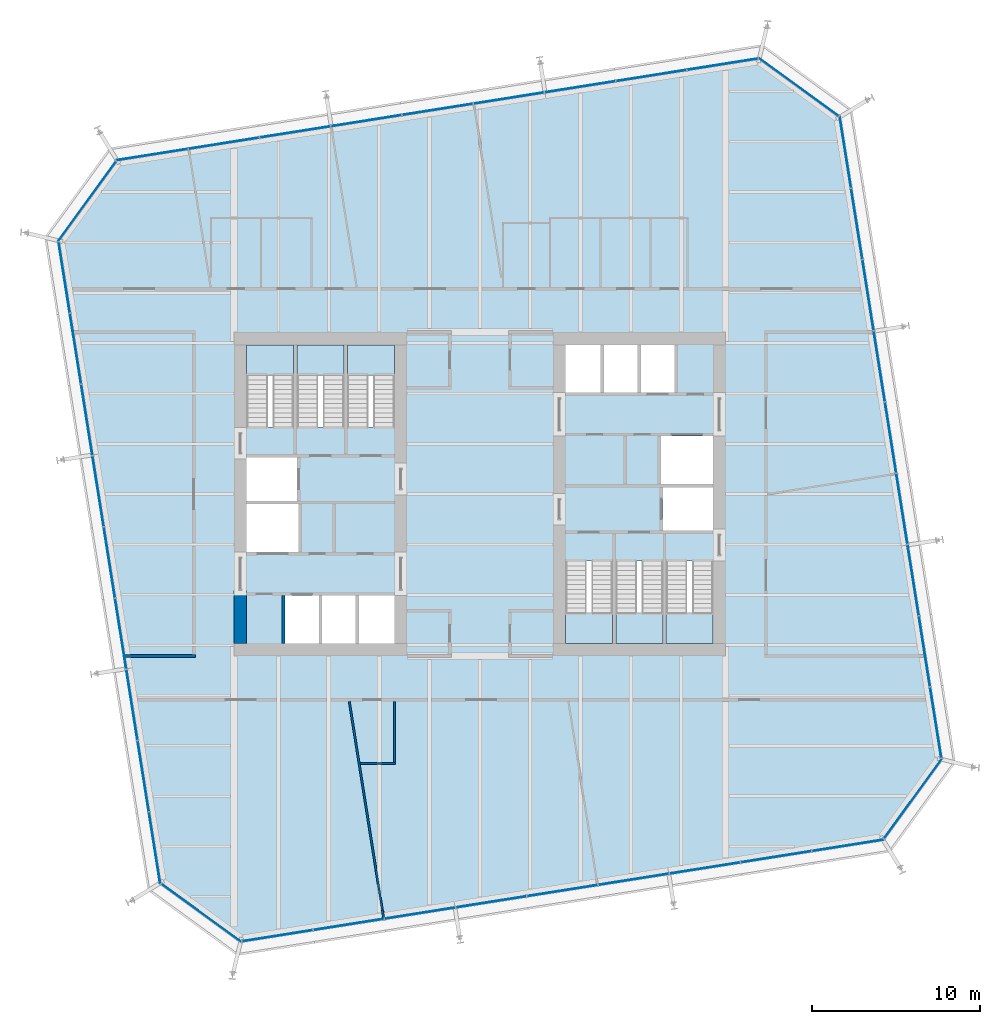
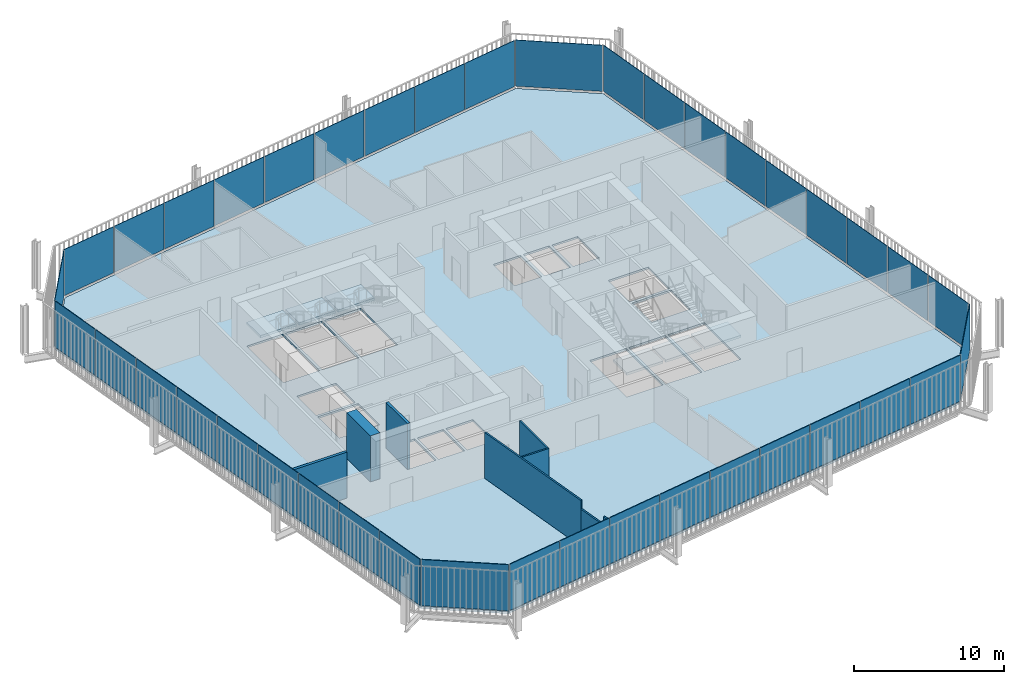
# One storey, part 16 of 21: 40 plates, 8 walls, 7 slabs, 14 elements without a shape of their own.
"""IFC4 building model written with IfcOpenShell, lengths in metres."""

from ifc_helpers import new_model, si_unit, direction, frame, frame_2d, origin, place, context, subcontext, project, spatial, polyline, rectangle, outline, extrude, material, layer, layer_set, type_object, element, aggregate, save


model = new_model("IFC4")

# Units and contexts
model_context = context("Model", 3, precision=1e-05, world=origin(), true_north=direction((0.0, 1.0)))
body_context = subcontext(model_context, "Body", "Model", "MODEL_VIEW")
ifc_project = project(units=[si_unit("LENGTHUNIT", "METRE"), si_unit("AREAUNIT", "SQUARE_METRE"), si_unit("VOLUMEUNIT", "CUBIC_METRE"), si_unit("PLANEANGLEUNIT", "RADIAN"), si_unit("MASSUNIT", "GRAM", prefix="KILO")], contexts=[model_context])

# Site, building, storey
site_placement = place(None, origin())
site = spatial("IfcSite", under=ifc_project, at=site_placement, CompositionType="ELEMENT")
building_placement = place(site_placement, origin())
building = spatial("IfcBuilding", under=site, at=building_placement, Name="Millrace Tower", CompositionType="ELEMENT")
storey_placement = place(building_placement, frame((0.0, 0.0, 183.89990234375)))
storey = spatial("IfcBuildingStorey", under=building, at=storey_placement, Name="L41", CompositionType="ELEMENT", Elevation=183.89990234375)

# Curtain wall, plate
ifc_material_1 = material(Name="Aluminium and glass", Category="aluminium")
ifc_layer_1 = layer(ifc_material_1, 0.14990234375)
ifc_layer_set_1 = layer_set([ifc_layer_1], Name="Aluminium and glass")
curtain_wall_type = type_object("IfcCurtainWallType", Name="CW-1 office vision curtain wall", PredefinedType="NOTDEFINED", material=ifc_layer_set_1)
placement_1 = place(storey_placement, origin())
curtain_wall_1 = element("IfcCurtainWall", 1, at=placement_1, inside=storey, type_object=curtain_wall_type, Name="Curtain wall C-F01 L41", PredefinedType="NOTDEFINED")
ifc_material_2 = material(Name="Glass", Category="glass")
ifc_layer_2 = layer(ifc_material_2, 0.0439453125)
ifc_layer_set_2 = layer_set([ifc_layer_2], Name="Glass")
plate_type = type_object("IfcPlateType", Name="CW-1 office vision curtain wall triple-glazed vision panel", PredefinedType="CURTAIN_PANEL", material=ifc_layer_set_2)
placement_2 = place(storey_placement, frame((0.0, 0.0, 0.14013671875)))
plate_1 = element("IfcPlate", 2, at=placement_2, type_object=plate_type, Name="CW1 panel C-F01.1", PredefinedType="CURTAIN_PANEL", context=body_context, shape_type="SweptSolid", body=[
    extrude(outline(polyline([(-18.988037109375, -23.254638671875), (-14.260009765625, -26.689697265625), (-14.2490234375, -26.6435546875), (-18.962158203125, -23.218994140625), (-18.988037109375, -23.254638671875)])), origin(), (0.0, 0.0, 1.0), 3.760009765625),
])
aggregate(curtain_wall_1, [plate_1])

# Curtain wall, plates
curtain_wall_2 = element("IfcCurtainWall", 3, at=placement_1, inside=storey, type_object=curtain_wall_type, Name="Curtain wall C-F02 L41", PredefinedType="NOTDEFINED")
plate_2 = element("IfcPlate", 4, at=placement_2, type_object=plate_type, Name="CW1 panel C-F02.1", PredefinedType="CURTAIN_PANEL", context=body_context, shape_type="SweptSolid", body=[
    extrude(outline(polyline([(-14.15625, -26.67333984375), (-9.973388671875, -26.0107421875), (-9.980224609375, -25.96728515625), (-14.1630859375, -26.6298828125), (-14.15625, -26.67333984375)])), origin(), (0.0, 0.0, 1.0), 3.760009765625),
])
plate_3 = element("IfcPlate", 5, at=placement_2, type_object=plate_type, Name="CW1 panel C-F02.2", PredefinedType="CURTAIN_PANEL", context=body_context, shape_type="SweptSolid", body=[
    extrude(outline(polyline([(-9.9091796875, -26.000732421875), (-5.726318359375, -25.338134765625), (-5.733154296875, -25.294677734375), (-9.916015625, -25.957275390625), (-9.9091796875, -26.000732421875)])), origin(), (0.0, 0.0, 1.0), 3.760009765625),
])
plate_4 = element("IfcPlate", 6, at=placement_2, type_object=plate_type, Name="CW1 panel C-F02.3", PredefinedType="CURTAIN_PANEL", context=body_context, shape_type="SweptSolid", body=[
    extrude(outline(polyline([(-5.662109375, -25.327880859375), (-1.479248046875, -24.66552734375), (-1.486083984375, -24.6220703125), (-5.6689453125, -25.284423828125), (-5.662109375, -25.327880859375)])), origin(), (0.0, 0.0, 1.0), 3.760009765625),
])
plate_5 = element("IfcPlate", 7, at=placement_2, type_object=plate_type, Name="CW1 panel C-F02.4", PredefinedType="CURTAIN_PANEL", context=body_context, shape_type="SweptSolid", body=[
    extrude(outline(polyline([(-1.4150390625, -24.6552734375), (2.767822265625, -23.992919921875), (2.760986328125, -23.949462890625), (-1.421875, -24.61181640625), (-1.4150390625, -24.6552734375)])), origin(), (0.0, 0.0, 1.0), 3.760009765625),
])
plate_6 = element("IfcPlate", 8, at=placement_2, type_object=plate_type, Name="CW1 panel C-F02.5", PredefinedType="CURTAIN_PANEL", context=body_context, shape_type="SweptSolid", body=[
    extrude(outline(polyline([(2.83203125, -23.982666015625), (7.014892578125, -23.320068359375), (7.008056640625, -23.276611328125), (2.8251953125, -23.939208984375), (2.83203125, -23.982666015625)])), origin(), (0.0, 0.0, 1.0), 3.760009765625),
])
plate_7 = element("IfcPlate", 9, at=placement_2, type_object=plate_type, Name="CW1 panel C-F02.6", PredefinedType="CURTAIN_PANEL", context=body_context, shape_type="SweptSolid", body=[
    extrude(outline(polyline([(7.0791015625, -23.31005859375), (11.261962890625, -22.6474609375), (11.255126953125, -22.60400390625), (7.072265625, -23.2666015625), (7.0791015625, -23.31005859375)])), origin(), (0.0, 0.0, 1.0), 3.760009765625),
])
plate_8 = element("IfcPlate", 10, at=placement_2, type_object=plate_type, Name="CW1 panel C-F02.7", PredefinedType="CURTAIN_PANEL", context=body_context, shape_type="SweptSolid", body=[
    extrude(outline(polyline([(11.326171875, -22.63720703125), (15.509033203125, -21.974853515625), (15.502197265625, -21.931396484375), (11.3193359375, -22.59375), (11.326171875, -22.63720703125)])), origin(), (0.0, 0.0, 1.0), 3.760009765625),
])
plate_9 = element("IfcPlate", 11, at=placement_2, type_object=plate_type, Name="CW1 panel C-F02.8", PredefinedType="CURTAIN_PANEL", context=body_context, shape_type="SweptSolid", body=[
    extrude(outline(polyline([(15.5732421875, -21.964599609375), (19.756103515625, -21.30224609375), (19.749267578125, -21.2587890625), (15.56640625, -21.921142578125), (15.5732421875, -21.964599609375)])), origin(), (0.0, 0.0, 1.0), 3.760009765625),
])
plate_10 = element("IfcPlate", 12, at=placement_2, type_object=plate_type, Name="CW1 panel C-F02.9", PredefinedType="CURTAIN_PANEL", context=body_context, shape_type="SweptSolid", body=[
    extrude(outline(polyline([(19.8203125, -21.2919921875), (24.042724609375, -20.623291015625), (24.01806640625, -20.58251953125), (19.8134765625, -21.24853515625), (19.8203125, -21.2919921875)])), origin(), (0.0, 0.0, 1.0), 3.760009765625),
])
aggregate(curtain_wall_2, [plate_2, plate_3, plate_4, plate_5, plate_6, plate_7, plate_8, plate_9, plate_10])

# Curtain wall, plate
curtain_wall_3 = element("IfcCurtainWall", 13, at=placement_1, inside=storey, type_object=curtain_wall_type, Name="Curtain wall C-F03 L41", PredefinedType="NOTDEFINED")
plate_11 = element("IfcPlate", 14, at=placement_2, type_object=plate_type, Name="CW1 panel C-F03.1", PredefinedType="CURTAIN_PANEL", context=body_context, shape_type="SweptSolid", body=[
    extrude(outline(polyline([(24.104736328125, -20.5380859375), (27.539794921875, -15.81005859375), (27.493408203125, -15.799072265625), (24.069091796875, -20.51220703125), (24.104736328125, -20.5380859375)])), origin(), (0.0, 0.0, 1.0), 3.760009765625),
])
aggregate(curtain_wall_3, [plate_11])

# Curtain wall, plates
curtain_wall_4 = element("IfcCurtainWall", 15, at=placement_1, inside=storey, type_object=curtain_wall_type, Name="Curtain wall C-F04 L41", PredefinedType="NOTDEFINED")
plate_12 = element("IfcPlate", 16, at=placement_2, type_object=plate_type, Name="CW1 panel C-F04.1", PredefinedType="CURTAIN_PANEL", context=body_context, shape_type="SweptSolid", body=[
    extrude(outline(polyline([(27.5234375, -15.706298828125), (26.86083984375, -11.5234375), (26.8173828125, -11.5302734375), (27.47998046875, -15.713134765625), (27.5234375, -15.706298828125)])), origin(), (0.0, 0.0, 1.0), 3.760009765625),
])
plate_13 = element("IfcPlate", 17, at=placement_2, type_object=plate_type, Name="CW1 panel C-F04.2", PredefinedType="CURTAIN_PANEL", context=body_context, shape_type="SweptSolid", body=[
    extrude(outline(polyline([(26.8505859375, -11.459228515625), (26.188232421875, -7.2763671875), (26.144775390625, -7.283203125), (26.80712890625, -11.466064453125), (26.8505859375, -11.459228515625)])), origin(), (0.0, 0.0, 1.0), 3.760009765625),
])
plate_14 = element("IfcPlate", 18, at=placement_2, type_object=plate_type, Name="CW1 panel C-F04.3", PredefinedType="CURTAIN_PANEL", context=body_context, shape_type="SweptSolid", body=[
    extrude(outline(polyline([(26.177978515625, -7.212158203125), (25.515380859375, -3.029296875), (25.471923828125, -3.0361328125), (26.134521484375, -7.218994140625), (26.177978515625, -7.212158203125)])), origin(), (0.0, 0.0, 1.0), 3.760009765625),
])
plate_15 = element("IfcPlate", 19, at=placement_2, type_object=plate_type, Name="CW1 panel C-F04.4", PredefinedType="CURTAIN_PANEL", context=body_context, shape_type="SweptSolid", body=[
    extrude(outline(polyline([(25.50537109375, -2.965087890625), (24.8427734375, 1.2177734375), (24.79931640625, 1.2109375), (25.4619140625, -2.971923828125), (25.50537109375, -2.965087890625)])), origin(), (0.0, 0.0, 1.0), 3.760009765625),
])
plate_16 = element("IfcPlate", 20, at=placement_2, type_object=plate_type, Name="CW1 panel C-F04.5", PredefinedType="CURTAIN_PANEL", context=body_context, shape_type="SweptSolid", body=[
    extrude(outline(polyline([(24.832763671875, 1.281982421875), (24.170166015625, 5.46484375), (24.126708984375, 5.4580078125), (24.789306640625, 1.275146484375), (24.832763671875, 1.281982421875)])), origin(), (0.0, 0.0, 1.0), 3.760009765625),
])
plate_17 = element("IfcPlate", 21, at=placement_2, type_object=plate_type, Name="CW1 panel C-F04.6", PredefinedType="CURTAIN_PANEL", context=body_context, shape_type="SweptSolid", body=[
    extrude(outline(polyline([(24.159912109375, 5.529052734375), (23.49755859375, 9.7119140625), (23.4541015625, 9.705078125), (24.116455078125, 5.522216796875), (24.159912109375, 5.529052734375)])), origin(), (0.0, 0.0, 1.0), 3.760009765625),
])
plate_18 = element("IfcPlate", 22, at=placement_2, type_object=plate_type, Name="CW1 panel C-F04.7", PredefinedType="CURTAIN_PANEL", context=body_context, shape_type="SweptSolid", body=[
    extrude(outline(polyline([(23.4873046875, 9.776123046875), (22.82470703125, 13.958984375), (22.78125, 13.9521484375), (23.44384765625, 9.769287109375), (23.4873046875, 9.776123046875)])), origin(), (0.0, 0.0, 1.0), 3.760009765625),
])
plate_19 = element("IfcPlate", 23, at=placement_2, type_object=plate_type, Name="CW1 panel C-F04.8", PredefinedType="CURTAIN_PANEL", context=body_context, shape_type="SweptSolid", body=[
    extrude(outline(polyline([(22.814697265625, 14.023193359375), (22.152099609375, 18.2060546875), (22.108642578125, 18.19921875), (22.771240234375, 14.016357421875), (22.814697265625, 14.023193359375)])), origin(), (0.0, 0.0, 1.0), 3.760009765625),
])
plate_20 = element("IfcPlate", 24, at=placement_2, type_object=plate_type, Name="CW1 panel C-F04.9", PredefinedType="CURTAIN_PANEL", context=body_context, shape_type="SweptSolid", body=[
    extrude(outline(polyline([(22.14208984375, 18.270263671875), (21.47314453125, 22.492919921875), (21.4326171875, 22.468017578125), (22.0986328125, 18.263427734375), (22.14208984375, 18.270263671875)])), origin(), (0.0, 0.0, 1.0), 3.760009765625),
])
aggregate(curtain_wall_4, [plate_12, plate_13, plate_14, plate_15, plate_16, plate_17, plate_18, plate_19, plate_20])

# Curtain wall, plate
curtain_wall_5 = element("IfcCurtainWall", 25, at=placement_1, inside=storey, type_object=curtain_wall_type, Name="Curtain wall C-F05 L41", PredefinedType="NOTDEFINED")
plate_21 = element("IfcPlate", 26, at=placement_2, type_object=plate_type, Name="CW1 panel C-F05.1", PredefinedType="CURTAIN_PANEL", context=body_context, shape_type="SweptSolid", body=[
    extrude(outline(polyline([(21.38818359375, 22.5546875), (16.66015625, 25.98974609375), (16.64892578125, 25.943359375), (21.3623046875, 22.51904296875), (21.38818359375, 22.5546875)])), origin(), (0.0, 0.0, 1.0), 3.760009765625),
])
aggregate(curtain_wall_5, [plate_21])

# Curtain wall, plates
curtain_wall_6 = element("IfcCurtainWall", 27, at=placement_1, inside=storey, type_object=curtain_wall_type, Name="Curtain wall C-F06 L41", PredefinedType="NOTDEFINED")
plate_22 = element("IfcPlate", 28, at=placement_2, type_object=plate_type, Name="CW1 panel C-F06.1", PredefinedType="CURTAIN_PANEL", context=body_context, shape_type="SweptSolid", body=[
    extrude(outline(polyline([(16.55615234375, 25.973388671875), (12.373291015625, 25.310791015625), (12.380126953125, 25.267333984375), (16.56298828125, 25.929931640625), (16.55615234375, 25.973388671875)])), origin(), (0.0, 0.0, 1.0), 3.760009765625),
])
plate_23 = element("IfcPlate", 29, at=placement_2, type_object=plate_type, Name="CW1 panel C-F06.2", PredefinedType="CURTAIN_PANEL", context=body_context, shape_type="SweptSolid", body=[
    extrude(outline(polyline([(12.30908203125, 25.300537109375), (8.126220703125, 24.63818359375), (8.133056640625, 24.5947265625), (12.31591796875, 25.257080078125), (12.30908203125, 25.300537109375)])), origin(), (0.0, 0.0, 1.0), 3.760009765625),
])
plate_24 = element("IfcPlate", 30, at=placement_2, type_object=plate_type, Name="CW1 panel C-F06.3", PredefinedType="CURTAIN_PANEL", context=body_context, shape_type="SweptSolid", body=[
    extrude(outline(polyline([(8.06201171875, 24.6279296875), (3.879150390625, 23.965576171875), (3.885986328125, 23.922119140625), (8.06884765625, 24.58447265625), (8.06201171875, 24.6279296875)])), origin(), (0.0, 0.0, 1.0), 3.760009765625),
])
plate_25 = element("IfcPlate", 31, at=placement_2, type_object=plate_type, Name="CW1 panel C-F06.4", PredefinedType="CURTAIN_PANEL", context=body_context, shape_type="SweptSolid", body=[
    extrude(outline(polyline([(3.81494140625, 23.955322265625), (-0.367919921875, 23.292724609375), (-0.361083984375, 23.249267578125), (3.82177734375, 23.911865234375), (3.81494140625, 23.955322265625)])), origin(), (0.0, 0.0, 1.0), 3.760009765625),
])
plate_26 = element("IfcPlate", 32, at=placement_2, type_object=plate_type, Name="CW1 panel C-F06.5", PredefinedType="CURTAIN_PANEL", context=body_context, shape_type="SweptSolid", body=[
    extrude(outline(polyline([(-0.43212890625, 23.28271484375), (-4.614990234375, 22.6201171875), (-4.60791015625, 22.57666015625), (-0.42529296875, 23.2392578125), (-0.43212890625, 23.28271484375)])), origin(), (0.0, 0.0, 1.0), 3.760009765625),
])
plate_27 = element("IfcPlate", 33, at=placement_2, type_object=plate_type, Name="CW1 panel C-F06.6", PredefinedType="CURTAIN_PANEL", context=body_context, shape_type="SweptSolid", body=[
    extrude(outline(polyline([(-4.67919921875, 22.60986328125), (-8.862060546875, 21.947509765625), (-8.85498046875, 21.904052734375), (-4.672119140625, 22.56640625), (-4.67919921875, 22.60986328125)])), origin(), (0.0, 0.0, 1.0), 3.760009765625),
])
plate_28 = element("IfcPlate", 34, at=placement_2, type_object=plate_type, Name="CW1 panel C-F06.7", PredefinedType="CURTAIN_PANEL", context=body_context, shape_type="SweptSolid", body=[
    extrude(outline(polyline([(-8.92626953125, 21.937255859375), (-13.109130859375, 21.27490234375), (-13.10205078125, 21.2314453125), (-8.919189453125, 21.893798828125), (-8.92626953125, 21.937255859375)])), origin(), (0.0, 0.0, 1.0), 3.760009765625),
])
plate_29 = element("IfcPlate", 35, at=placement_2, type_object=plate_type, Name="CW1 panel C-F06.8", PredefinedType="CURTAIN_PANEL", context=body_context, shape_type="SweptSolid", body=[
    extrude(outline(polyline([(-13.17333984375, 21.2646484375), (-17.356201171875, 20.60205078125), (-17.34912109375, 20.55859375), (-13.166259765625, 21.22119140625), (-13.17333984375, 21.2646484375)])), origin(), (0.0, 0.0, 1.0), 3.760009765625),
])
plate_30 = element("IfcPlate", 36, at=placement_2, type_object=plate_type, Name="CW1 panel C-F06.9", PredefinedType="CURTAIN_PANEL", context=body_context, shape_type="SweptSolid", body=[
    extrude(outline(polyline([(-17.42041015625, 20.592041015625), (-21.642822265625, 19.923095703125), (-21.617919921875, 19.882568359375), (-17.413330078125, 20.548583984375), (-17.42041015625, 20.592041015625)])), origin(), (0.0, 0.0, 1.0), 3.760009765625),
])
aggregate(curtain_wall_6, [plate_22, plate_23, plate_24, plate_25, plate_26, plate_27, plate_28, plate_29, plate_30])

# Curtain wall, plate
curtain_wall_7 = element("IfcCurtainWall", 37, at=placement_1, inside=storey, type_object=curtain_wall_type, Name="Curtain wall C-F07 L41", PredefinedType="NOTDEFINED")
plate_31 = element("IfcPlate", 38, at=placement_2, type_object=plate_type, Name="CW1 panel C-F07.1", PredefinedType="CURTAIN_PANEL", context=body_context, shape_type="SweptSolid", body=[
    extrude(outline(polyline([(-21.70458984375, 19.838134765625), (-25.139892578125, 15.110107421875), (-25.093505859375, 15.098876953125), (-21.6689453125, 19.812255859375), (-21.70458984375, 19.838134765625)])), origin(), (0.0, 0.0, 1.0), 3.760009765625),
])
aggregate(curtain_wall_7, [plate_31])

# Curtain wall, plates
curtain_wall_8 = element("IfcCurtainWall", 39, at=placement_1, inside=storey, type_object=curtain_wall_type, Name="Curtain wall C-F08 L41", PredefinedType="NOTDEFINED")
plate_32 = element("IfcPlate", 40, at=placement_2, type_object=plate_type, Name="CW1 panel C-F08.1", PredefinedType="CURTAIN_PANEL", context=body_context, shape_type="SweptSolid", body=[
    extrude(outline(polyline([(-25.123291015625, 15.006103515625), (-24.4609375, 10.8232421875), (-24.41748046875, 10.830322265625), (-25.079833984375, 15.01318359375), (-25.123291015625, 15.006103515625)])), origin(), (0.0, 0.0, 1.0), 3.760009765625),
])
plate_33 = element("IfcPlate", 41, at=placement_2, type_object=plate_type, Name="CW1 panel C-F08.2", PredefinedType="CURTAIN_PANEL", context=body_context, shape_type="SweptSolid", body=[
    extrude(outline(polyline([(-24.45068359375, 10.759033203125), (-23.7880859375, 6.576171875), (-23.74462890625, 6.583251953125), (-24.4072265625, 10.76611328125), (-24.45068359375, 10.759033203125)])), origin(), (0.0, 0.0, 1.0), 3.760009765625),
])
plate_34 = element("IfcPlate", 42, at=placement_2, type_object=plate_type, Name="CW1 panel C-F08.3", PredefinedType="CURTAIN_PANEL", context=body_context, shape_type="SweptSolid", body=[
    extrude(outline(polyline([(-23.778076171875, 6.511962890625), (-23.115478515625, 2.3291015625), (-23.072021484375, 2.336181640625), (-23.734619140625, 6.51904296875), (-23.778076171875, 6.511962890625)])), origin(), (0.0, 0.0, 1.0), 3.760009765625),
])
plate_35 = element("IfcPlate", 43, at=placement_2, type_object=plate_type, Name="CW1 panel C-F08.4", PredefinedType="CURTAIN_PANEL", context=body_context, shape_type="SweptSolid", body=[
    extrude(outline(polyline([(-23.105224609375, 2.264892578125), (-22.44287109375, -1.91796875), (-22.3994140625, -1.910888671875), (-23.061767578125, 2.27197265625), (-23.105224609375, 2.264892578125)])), origin(), (0.0, 0.0, 1.0), 3.760009765625),
])
plate_36 = element("IfcPlate", 44, at=placement_2, type_object=plate_type, Name="CW1 panel C-F08.5", PredefinedType="CURTAIN_PANEL", context=body_context, shape_type="SweptSolid", body=[
    extrude(outline(polyline([(-22.4326171875, -1.98193359375), (-21.770263671875, -6.164794921875), (-21.726806640625, -6.157958984375), (-22.38916015625, -1.97509765625), (-22.4326171875, -1.98193359375)])), origin(), (0.0, 0.0, 1.0), 3.760009765625),
])
plate_37 = element("IfcPlate", 45, at=placement_2, type_object=plate_type, Name="CW1 panel C-F08.6", PredefinedType="CURTAIN_PANEL", context=body_context, shape_type="SweptSolid", body=[
    extrude(outline(polyline([(-21.760009765625, -6.22900390625), (-21.097412109375, -10.411865234375), (-21.053955078125, -10.405029296875), (-21.716552734375, -6.22216796875), (-21.760009765625, -6.22900390625)])), origin(), (0.0, 0.0, 1.0), 3.760009765625),
])
plate_38 = element("IfcPlate", 46, at=placement_2, type_object=plate_type, Name="CW1 panel C-F08.7", PredefinedType="CURTAIN_PANEL", context=body_context, shape_type="SweptSolid", body=[
    extrude(outline(polyline([(-21.08740234375, -10.47607421875), (-20.4248046875, -14.658935546875), (-20.38134765625, -14.652099609375), (-21.0439453125, -10.46923828125), (-21.08740234375, -10.47607421875)])), origin(), (0.0, 0.0, 1.0), 3.760009765625),
])
plate_39 = element("IfcPlate", 47, at=placement_2, type_object=plate_type, Name="CW1 panel C-F08.8", PredefinedType="CURTAIN_PANEL", context=body_context, shape_type="SweptSolid", body=[
    extrude(outline(polyline([(-20.41455078125, -14.72314453125), (-19.752197265625, -18.906005859375), (-19.708740234375, -18.899169921875), (-20.37109375, -14.71630859375), (-20.41455078125, -14.72314453125)])), origin(), (0.0, 0.0, 1.0), 3.760009765625),
])
plate_40 = element("IfcPlate", 48, at=placement_2, type_object=plate_type, Name="CW1 panel C-F08.9", PredefinedType="CURTAIN_PANEL", context=body_context, shape_type="SweptSolid", body=[
    extrude(outline(polyline([(-19.741943359375, -18.97021484375), (-19.0732421875, -23.19287109375), (-19.032470703125, -23.16796875), (-19.698486328125, -18.96337890625), (-19.741943359375, -18.97021484375)])), origin(), (0.0, 0.0, 1.0), 3.760009765625),
])
aggregate(curtain_wall_8, [plate_32, plate_33, plate_34, plate_35, plate_36, plate_37, plate_38, plate_39, plate_40])

# Slab
ifc_material_3 = material(Name="Concrete C35 on steel deck", Category="concrete")
ifc_layer_3 = layer(ifc_material_3, 0.159912109375)
ifc_layer_set_3 = layer_set([ifc_layer_3], Name="Concrete C35 on steel deck")
slab_type_1 = type_object("IfcSlabType", Name="Composite floor slab 160 mm", PredefinedType="FLOOR", material=ifc_layer_set_3)
slab_1_placement = place(storey_placement, frame((0.0, 0.0, -0.159912109375)))
element("IfcSlab", 49, at=slab_1_placement, inside=storey, type_object=slab_type_1, Name="SL-C-L41-S1", PredefinedType="FLOOR", context=body_context, shape_type="SweptSolid", body=[
    extrude(outline(polyline([(-18.983642578125, -23.137939453125), (-14.235595703125, -26.587646484375), (23.988037109375, -20.53369140625), (27.437744140625, -15.78564453125), (21.3837890625, 22.43798828125), (16.635498046875, 25.8876953125), (-21.587890625, 19.833740234375), (-25.03759765625, 15.08544921875), (-18.983642578125, -23.137939453125)]), holes=[polyline([(-11.60009765625, -8.89990234375), (-9.60009765625, -8.89990234375), (-9.60009765625, -6.050048828125), (-11.60009765625, -6.050048828125), (-11.60009765625, -8.89990234375)]), polyline([(-9.39990234375, -8.89990234375), (-7.39990234375, -8.89990234375), (-7.39990234375, -6.050048828125), (-9.39990234375, -6.050048828125), (-9.39990234375, -8.89990234375)]), polyline([(-7.199951171875, -8.89990234375), (-5.10009765625, -8.89990234375), (-5.10009765625, -6.050048828125), (-7.199951171875, -6.050048828125), (-7.199951171875, -8.89990234375)]), polyline([(-13.89990234375, -3.449951171875), (-10.800048828125, -3.449951171875), (-10.800048828125, -0.60009765625), (-13.89990234375, -0.60009765625), (-13.89990234375, -3.449951171875)]), polyline([(-13.89990234375, -0.39990234375), (-10.89990234375, -0.39990234375), (-10.89990234375, 2.179931640625), (-13.89990234375, 2.179931640625), (-13.89990234375, -0.39990234375)]), polyline([(-13.89990234375, 4.0), (-11.10009765625, 4.0), (-11.10009765625, 8.89990234375), (-13.89990234375, 8.89990234375), (-13.89990234375, 4.0)]), polyline([(-10.89990234375, 4.0), (-8.10009765625, 4.0), (-8.10009765625, 8.89990234375), (-10.89990234375, 8.89990234375), (-10.89990234375, 4.0)]), polyline([(-7.89990234375, 4.0), (-5.10009765625, 4.0), (-5.10009765625, 8.89990234375), (-7.89990234375, 8.89990234375), (-7.89990234375, 4.0)]), polyline([(9.60009765625, 6.050048828125), (11.60009765625, 6.050048828125), (11.60009765625, 8.89990234375), (9.60009765625, 8.89990234375), (9.60009765625, 6.050048828125)]), polyline([(7.39990234375, 6.050048828125), (9.39990234375, 6.050048828125), (9.39990234375, 8.89990234375), (7.39990234375, 8.89990234375), (7.39990234375, 6.050048828125)]), polyline([(5.10009765625, 6.050048828125), (7.199951171875, 6.050048828125), (7.199951171875, 8.89990234375), (5.10009765625, 8.89990234375), (5.10009765625, 6.050048828125)]), polyline([(10.800048828125, 0.60009765625), (13.89990234375, 0.60009765625), (13.89990234375, 3.449951171875), (10.800048828125, 3.449951171875), (10.800048828125, 0.60009765625)]), polyline([(10.89990234375, -2.179931640625), (13.89990234375, -2.179931640625), (13.89990234375, 0.39990234375), (10.89990234375, 0.39990234375), (10.89990234375, -2.179931640625)]), polyline([(11.10009765625, -8.89990234375), (13.89990234375, -8.89990234375), (13.89990234375, -4.0), (11.10009765625, -4.0), (11.10009765625, -8.89990234375)]), polyline([(8.10009765625, -8.89990234375), (10.89990234375, -8.89990234375), (10.89990234375, -4.0), (8.10009765625, -4.0), (8.10009765625, -8.89990234375)]), polyline([(5.10009765625, -8.89990234375), (7.89990234375, -8.89990234375), (7.89990234375, -4.0), (5.10009765625, -4.0), (5.10009765625, -8.89990234375)])]), origin(), (0.0, 0.0, 1.0), 0.159912109375),
])

# Stair, slab
ifc_material_4 = material(Name="Concrete C35", Category="concrete")
stair_type = type_object("IfcStairType", Name="Exit stair", PredefinedType="HALF_TURN_STAIR", material=ifc_material_4)
stair_1 = element("IfcStair", 50, at=placement_1, inside=storey, type_object=stair_type, Name="Stair 1 W L41", PredefinedType="HALF_TURN_STAIR")
ifc_material_5 = material(Name="Concrete C40", Category="concrete")
ifc_layer_4 = layer(ifc_material_5, 0.199951171875)
ifc_layer_set_4 = layer_set([ifc_layer_4], Name="Concrete C40")
slab_type_2 = type_object("IfcSlabType", Name="Stair landing", PredefinedType="LANDING", material=ifc_layer_set_4)
placement_3 = place(storey_placement, frame((0.0, 0.0, 1.75)))
slab_2 = element("IfcSlab", 51, at=placement_3, type_object=slab_type_2, Name="ST12 landing 1", PredefinedType="LANDING", context=body_context, shape_type="SweptSolid", body=[
    extrude(outline(polyline([(-13.89990234375, 7.080078125), (-11.10009765625, 7.080078125), (-11.10009765625, 8.89990234375), (-13.89990234375, 8.89990234375), (-13.89990234375, 7.080078125)])), origin(), (0.0, 0.0, 1.0), 0.2001953125),
])
aggregate(stair_1, [slab_2])

stair_2 = element("IfcStair", 52, at=placement_1, inside=storey, type_object=stair_type, Name="Stair 2 W L41", PredefinedType="HALF_TURN_STAIR")
slab_3 = element("IfcSlab", 53, at=placement_3, type_object=slab_type_2, Name="ST12 landing 1", PredefinedType="LANDING", context=body_context, shape_type="SweptSolid", body=[
    extrude(outline(polyline([(-10.89990234375, 7.080078125), (-8.10009765625, 7.080078125), (-8.10009765625, 8.89990234375), (-10.89990234375, 8.89990234375), (-10.89990234375, 7.080078125)])), origin(), (0.0, 0.0, 1.0), 0.2001953125),
])
aggregate(stair_2, [slab_3])

stair_3 = element("IfcStair", 54, at=placement_1, inside=storey, type_object=stair_type, Name="Stair 3 W L41", PredefinedType="HALF_TURN_STAIR")
slab_4 = element("IfcSlab", 55, at=placement_3, type_object=slab_type_2, Name="ST12 landing 1", PredefinedType="LANDING", context=body_context, shape_type="SweptSolid", body=[
    extrude(outline(polyline([(-7.89990234375, 7.080078125), (-5.10009765625, 7.080078125), (-5.10009765625, 8.89990234375), (-7.89990234375, 8.89990234375), (-7.89990234375, 7.080078125)])), origin(), (0.0, 0.0, 1.0), 0.2001953125),
])
aggregate(stair_3, [slab_4])

stair_4 = element("IfcStair", 56, at=placement_1, inside=storey, type_object=stair_type, Name="Stair 1 E L41", PredefinedType="HALF_TURN_STAIR")
slab_5 = element("IfcSlab", 57, at=placement_3, type_object=slab_type_2, Name="ST12 landing 1", PredefinedType="LANDING", context=body_context, shape_type="SweptSolid", body=[
    extrude(outline(polyline([(11.10009765625, -8.89990234375), (13.89990234375, -8.89990234375), (13.89990234375, -7.080078125), (11.10009765625, -7.080078125), (11.10009765625, -8.89990234375)])), origin(), (0.0, 0.0, 1.0), 0.2001953125),
])
aggregate(stair_4, [slab_5])

stair_5 = element("IfcStair", 58, at=placement_1, inside=storey, type_object=stair_type, Name="Stair 2 E L41", PredefinedType="HALF_TURN_STAIR")
slab_6 = element("IfcSlab", 59, at=placement_3, type_object=slab_type_2, Name="ST12 landing 1", PredefinedType="LANDING", context=body_context, shape_type="SweptSolid", body=[
    extrude(outline(polyline([(8.10009765625, -8.89990234375), (10.89990234375, -8.89990234375), (10.89990234375, -7.080078125), (8.10009765625, -7.080078125), (8.10009765625, -8.89990234375)])), origin(), (0.0, 0.0, 1.0), 0.2001953125),
])
aggregate(stair_5, [slab_6])

stair_6 = element("IfcStair", 60, at=placement_1, inside=storey, type_object=stair_type, Name="Stair 3 E L41", PredefinedType="HALF_TURN_STAIR")
slab_7 = element("IfcSlab", 61, at=placement_3, type_object=slab_type_2, Name="ST12 landing 1", PredefinedType="LANDING", context=body_context, shape_type="SweptSolid", body=[
    extrude(outline(polyline([(5.10009765625, -8.89990234375), (7.89990234375, -8.89990234375), (7.89990234375, -7.080078125), (5.10009765625, -7.080078125), (5.10009765625, -8.89990234375)])), origin(), (0.0, 0.0, 1.0), 0.2001953125),
])
aggregate(stair_6, [slab_7])

# Walls
ifc_material_6 = material(Name="Concrete C70", Category="concrete")
ifc_layer_5 = layer(ifc_material_6, 0.75)
ifc_layer_set_5 = layer_set([ifc_layer_5], Name="Concrete C70")
wall_type_1 = type_object("IfcWallType", Name="Core wall 750 Concrete C70", PredefinedType="SHEAR", material=ifc_layer_set_5)
wall_1_placement = place(storey_placement, frame((-14.27490234375, -8.89990234375, 0.0), z_axis=(0.0, 0.0, 1.0), x_axis=(0.0, 1.0, 0.0)))
element("IfcWall", 62, at=wall_1_placement, inside=storey, type_object=wall_type_1, Name="Core wall W L41", PredefinedType="SHEAR", context=body_context, shape_type="SweptSolid", body=[
    extrude(rectangle(XDim=3.14990234375, YDim=0.75, at=frame_2d((1.574951171875, 0.0))), origin(), (0.0, 0.0, 1.0), 3.739990234375),
])
ifc_material_7 = material(Name="Masonry partition, fire-rated", Category="masonry")
ifc_layer_6 = layer(ifc_material_7, 0.199951171875)
ifc_layer_set_6 = layer_set([ifc_layer_6], Name="Masonry partition, fire-rated")
wall_type_2 = type_object("IfcWallType", Name="Corridor wall 200", PredefinedType="PARTITIONING", material=ifc_layer_set_6)
wall_2_placement = place(storey_placement, frame((-21.150390625, -9.64990234375, 0.0), z_axis=(0.0, 0.0, 1.0), x_axis=(1.0, 0.0, 0.0)))
element("IfcWall", 63, at=wall_2_placement, inside=storey, type_object=wall_type_2, Name="Corridor wall L41", PredefinedType="PARTITIONING", context=body_context, shape_type="SweptSolid", body=[
    extrude(rectangle(XDim=4.200439453125, YDim=0.199951171875, at=frame_2d((2.10009765625, 0.0))), origin(), (0.0, 0.0, 1.0), 3.739990234375),
])
ifc_material_8 = material(Name="Masonry partition, fire-rated", Category="masonry")
ifc_layer_7 = layer(ifc_material_8, 0.199951171875)
ifc_layer_set_7 = layer_set([ifc_layer_7], Name="Masonry partition, fire-rated")
wall_type_3 = type_object("IfcWallType", Name="Lift shaft wall 200", PredefinedType="PARTITIONING", material=ifc_layer_set_7)
wall_3_placement = place(storey_placement, frame((-11.699951171875, -8.89990234375, 0.0), z_axis=(0.0, 0.0, 1.0), x_axis=(0.0, 1.0, 0.0)))
element("IfcWall", 64, at=wall_3_placement, inside=storey, type_object=wall_type_3, Name="Lift shaft wall W L41", PredefinedType="PARTITIONING", context=body_context, shape_type="SweptSolid", body=[
    extrude(rectangle(XDim=2.849853515625, YDim=0.199951171875, at=frame_2d((1.4248046875, 0.0))), origin(), (0.0, 0.0, 1.0), 3.739990234375),
])
ifc_material_9 = material(Name="Gypsum board partition")
ifc_layer_8 = layer(ifc_material_9, 0.1201171875)
ifc_layer_set_8 = layer_set([ifc_layer_8], Name="Gypsum board partition")
wall_type_4 = type_object("IfcWallType", Name="Partition wall 120", PredefinedType="PARTITIONING", material=ifc_layer_set_8)
wall_4_placement = place(storey_placement, frame((-7.783447265625, -12.348876953125, 0.0), z_axis=(0.0, 0.0, 1.0), x_axis=(0.156482523435, -0.987680727695, 0.0)))
element("IfcWall", 65, at=wall_4_placement, inside=storey, type_object=wall_type_4, Name="Partition wall L41", PredefinedType="PARTITIONING", context=body_context, shape_type="SweptSolid", body=[
    extrude(rectangle(XDim=10.198974609375, YDim=0.1201171875, at=frame_2d((5.099609375, 0.0))), origin(), (0.0, 0.0, 1.0), 3.739990234375),
])
wall_5_placement = place(storey_placement, frame((-6.1875, -22.422119140625, 0.0), z_axis=(0.0, 0.0, 1.0), x_axis=(0.156448980075, -0.98768604153, 0.0)))
element("IfcWall", 66, at=wall_5_placement, inside=storey, type_object=wall_type_4, Name="Partition wall L41", PredefinedType="PARTITIONING", context=body_context, shape_type="SweptSolid", body=[
    extrude(rectangle(XDim=2.39697265625, YDim=0.1201171875, at=frame_2d((1.198486328125, 0.0))), origin(), (0.0, 0.0, 1.0), 3.046630859375),
])
wall_6_placement = place(storey_placement, frame((-5.8125, -24.78955078125, 0.0), z_axis=(0.0, 0.0, 1.0), x_axis=(0.156450237182, -0.987685842404, 0.0)))
element("IfcWall", 67, at=wall_6_placement, inside=storey, type_object=wall_type_4, Name="Partition wall L41", PredefinedType="PARTITIONING", context=body_context, shape_type="SweptSolid", body=[
    extrude(rectangle(XDim=0.488525390625, YDim=0.1201171875, at=frame_2d((0.244140625, 0.0))), origin(), (0.0, 0.0, 1.0), 3.739990234375),
])
wall_7_placement = place(storey_placement, frame((-7.136962890625, -16.050048828125, 0.0), z_axis=(0.0, 0.0, 1.0), x_axis=(1.0, 0.0, 0.0)))
element("IfcWall", 68, at=wall_7_placement, inside=storey, type_object=wall_type_4, Name="Partition wall L41", PredefinedType="PARTITIONING", context=body_context, shape_type="SweptSolid", body=[
    extrude(rectangle(XDim=2.097900390625, YDim=0.1201171875, at=frame_2d((1.048828125, 0.0))), origin(), (0.0, 0.0, 1.0), 3.739990234375),
])
wall_8_placement = place(storey_placement, frame((-5.09912109375, -15.989990234375, 0.0), z_axis=(0.0, 0.0, 1.0), x_axis=(0.0, 1.0, 0.0)))
element("IfcWall", 69, at=wall_8_placement, inside=storey, type_object=wall_type_4, Name="Partition wall L41", PredefinedType="PARTITIONING", context=body_context, shape_type="SweptSolid", body=[
    extrude(rectangle(XDim=3.639892578125, YDim=0.1201171875, at=frame_2d((1.81982421875, 0.0))), origin(), (0.0, 0.0, 1.0), 3.739990234375),
])

save(model, "model.ifc")
